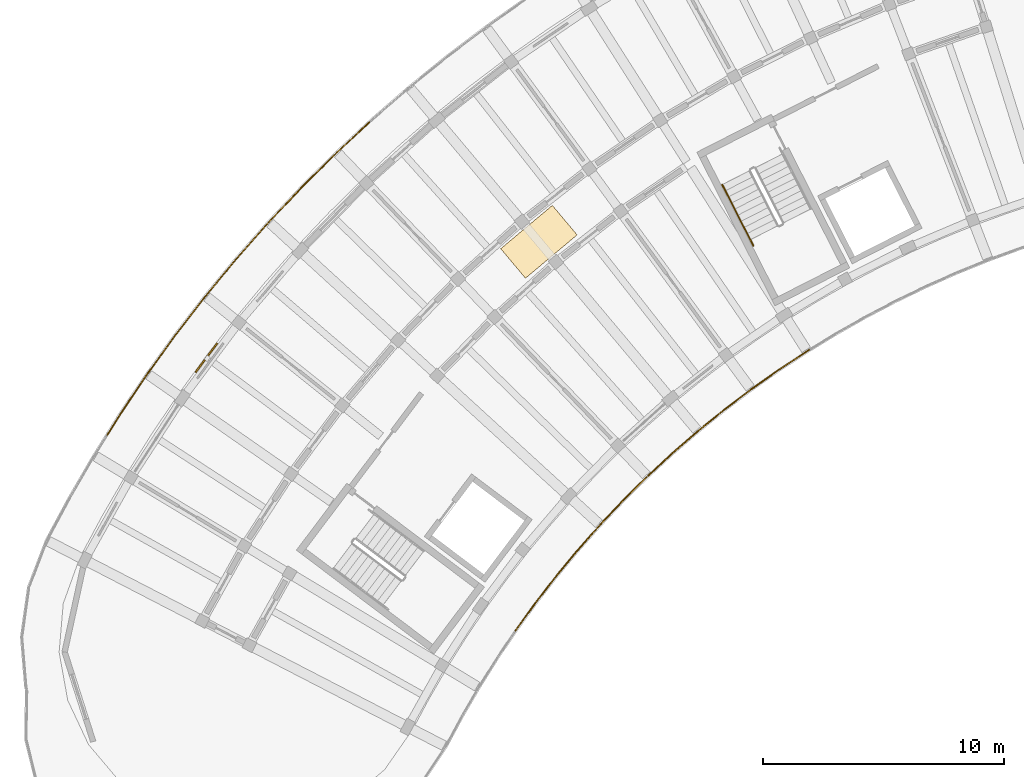
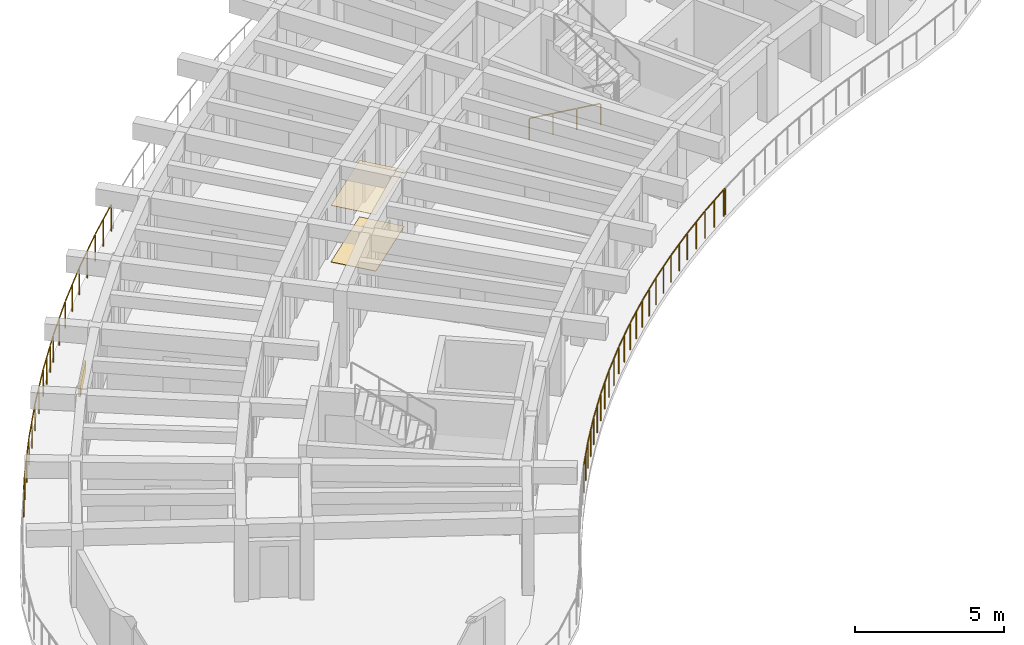
# One storey, part 16 of 19: 7 railings, 2 coverings, 1 shading device.
"""IFC4 building model written with IfcOpenShell, lengths in metres."""

from ifc_helpers import new_model, si_unit, direction, frame, origin, origin_2d, place, context, subcontext, project, spatial, rectangle, circle, extrude, material, layer, layer_set, type_object, element, save


model = new_model("IFC4")

# Units and contexts
model_context = context("Model", 3, precision=1e-05, world=origin(), true_north=direction((0.0, 1.0)))
body_context = subcontext(model_context, "Body", "Model", "MODEL_VIEW")
ifc_project = project(units=[si_unit("LENGTHUNIT", "METRE"), si_unit("AREAUNIT", "SQUARE_METRE"), si_unit("VOLUMEUNIT", "CUBIC_METRE"), si_unit("PLANEANGLEUNIT", "RADIAN"), si_unit("MASSUNIT", "GRAM", prefix="KILO")], contexts=[model_context])

# Site, building, storey
site_placement = place(None, origin())
site = spatial("IfcSite", under=ifc_project, at=site_placement, CompositionType="ELEMENT")
building_placement = place(site_placement, origin())
building = spatial("IfcBuilding", under=site, at=building_placement, Name="Tanwirah Colonnade Gardens", CompositionType="ELEMENT")
storey_placement = place(building_placement, frame((0.0, 0.0, 45.800048828125)))
storey = spatial("IfcBuildingStorey", under=building, at=storey_placement, Name="L13", CompositionType="ELEMENT", Elevation=45.800048828125)

# Railings
ifc_material_1 = material(Name="Precast concrete C40/50", Category="concrete")
railing_type_1 = type_object("IfcRailingType", Name="BAL-EXT112", PredefinedType="BALUSTRADE", material=ifc_material_1)
railing_1_placement = place(storey_placement, frame((42.189453125, 96.271240234375, 0.0)))
element("IfcRailing", 1, at=railing_1_placement, inside=storey, type_object=railing_type_1, Name="Block A L13 Balcony Ribbon Balustrade 3", PredefinedType="BALUSTRADE", context=body_context, shape_type="SweptSolid", body=[
    extrude(circle(Radius=0.02392578125, at=origin_2d()), frame((-0.026611328125, -0.016357421875, 1.09619140625), z_axis=(-0.852075986308, -0.523418105875, 0.0), x_axis=(0.523418105875, -0.852075986308, 0.0)), (0.0, 0.0, 1.0), 0.037841796875),
    extrude(circle(Radius=0.02392578125, at=origin_2d()), frame((-0.11376953125, -0.07080078125, 1.09619140625), z_axis=(-0.834927342507, -0.550360184547, 0.0), x_axis=(0.550360184547, -0.834927342507, 0.0)), (0.0, 0.0, 1.0), 1.341796875),
    extrude(circle(Radius=0.02392578125, at=origin_2d()), frame((-1.2880859375, -0.84619140625, 1.09619140625), z_axis=(-0.816321661452, -0.577597563226, 0.0), x_axis=(0.577597563226, -0.816321661452, 0.0)), (0.0, 0.0, 1.0), 1.341552734375),
    extrude(circle(Radius=0.02392578125, at=origin_2d()), frame((-2.435791015625, -1.659423828125, 1.09619140625), z_axis=(-0.796818244666, -0.604219070344, 0.0), x_axis=(0.604219070344, -0.796818244666, 0.0)), (0.0, 0.0, 1.0), 1.342041015625),
    extrude(circle(Radius=0.02392578125, at=origin_2d()), frame((-3.55615234375, -2.510498046875, 1.09619140625), z_axis=(-0.776491375378, -0.630127879056, 0.0), x_axis=(0.630127879056, -0.776491375378, 0.0)), (0.0, 0.0, 1.0), 1.342041015625),
    extrude(circle(Radius=0.02392578125, at=origin_2d()), frame((-4.648193359375, -3.39794921875, 1.09619140625), z_axis=(-0.755402192857, -0.655261418845, 0.0), x_axis=(0.655261418845, -0.755402192857, 0.0)), (0.0, 0.0, 1.0), 1.341796875),
    extrude(circle(Radius=0.02392578125, at=origin_2d()), frame((-5.710205078125, -4.320556640625, 1.09619140625), z_axis=(-0.73338671836, -0.679811680786, 0.0), x_axis=(0.679811680786, -0.73338671836, 0.0)), (0.0, 0.0, 1.0), 1.300048828125),
    extrude(circle(Radius=0.02099609375, at=origin_2d()), origin(), (0.0, 0.0, 1.0), 1.069091796875),
    extrude(circle(Radius=0.02099609375, at=origin_2d()), frame((-0.08544921875, -0.052490234375, 0.0)), (0.0, 0.0, 1.0), 1.069091796875),
    extrude(circle(Radius=0.02099609375, at=origin_2d()), frame((-0.673828125, -0.440185546875, 0.0)), (0.0, 0.0, 1.0), 1.069091796875),
    extrude(circle(Radius=0.02099609375, at=origin_2d()), frame((-1.26025390625, -0.82666015625, 0.0)), (0.0, 0.0, 1.0), 1.069091796875),
    extrude(circle(Radius=0.02099609375, at=origin_2d()), frame((-1.83544921875, -1.233642578125, 0.0)), (0.0, 0.0, 1.0), 1.069091796875),
    extrude(circle(Radius=0.02099609375, at=origin_2d()), frame((-2.40869140625, -1.63916015625, 0.0)), (0.0, 0.0, 1.0), 1.069091796875),
    extrude(circle(Radius=0.02099609375, at=origin_2d()), frame((-2.970458984375, -2.06494140625, 0.0)), (0.0, 0.0, 1.0), 1.069091796875),
    extrude(circle(Radius=0.02099609375, at=origin_2d()), frame((-3.530029296875, -2.4892578125, 0.0)), (0.0, 0.0, 1.0), 1.069091796875),
    extrude(circle(Radius=0.02099609375, at=origin_2d()), frame((-4.0771484375, -2.93310546875, 0.0)), (0.0, 0.0, 1.0), 1.069091796875),
    extrude(circle(Radius=0.02099609375, at=origin_2d()), frame((-4.62255859375, -3.375732421875, 0.0)), (0.0, 0.0, 1.0), 1.069091796875),
    extrude(circle(Radius=0.02099609375, at=origin_2d()), frame((-5.15478515625, -3.83740234375, 0.0)), (0.0, 0.0, 1.0), 1.069091796875),
    extrude(circle(Radius=0.02099609375, at=origin_2d()), frame((-5.685302734375, -4.297607421875, 0.0)), (0.0, 0.0, 1.0), 1.069091796875),
    extrude(circle(Radius=0.02099609375, at=origin_2d()), frame((-6.18701171875, -4.762451171875, 0.0)), (0.0, 0.0, 1.0), 1.069091796875),
    extrude(circle(Radius=0.02099609375, at=origin_2d()), frame((-6.6865234375, -5.2255859375, 0.0)), (0.0, 0.0, 1.0), 1.069091796875),
])
railing_2_placement = place(storey_placement, frame((35.5029296875, 91.045654296875, 0.0)))
element("IfcRailing", 2, at=railing_2_placement, inside=storey, type_object=railing_type_1, Name="Block A L13 Balcony Ribbon Balustrade 4", PredefinedType="BALUSTRADE", context=body_context, shape_type="SweptSolid", body=[
    extrude(circle(Radius=0.02392578125, at=origin_2d()), frame((-0.054931640625, -0.05224609375, 1.09619140625), z_axis=(-0.710488556831, -0.703708754111, 0.0), x_axis=(0.703708754111, -0.710488556831, 0.0)), (0.0, 0.0, 1.0), 1.341796875),
    extrude(circle(Radius=0.02392578125, at=origin_2d()), frame((-1.0537109375, -1.043212890625, 1.09619140625), z_axis=(-0.687011382404, -0.726646654466, 0.0), x_axis=(0.726646654466, -0.687011382404, 0.0)), (0.0, 0.0, 1.0), 1.341796875),
    extrude(circle(Radius=0.02392578125, at=origin_2d()), frame((-2.01953125, -2.06640625, 1.09619140625), z_axis=(-0.662581384852, -0.748989925464, 0.0), x_axis=(0.748989925464, -0.662581384852, 0.0)), (0.0, 0.0, 1.0), 1.341796875),
    extrude(circle(Radius=0.02392578125, at=origin_2d()), frame((-2.950927734375, -3.120849609375, 1.09619140625), z_axis=(-0.637581943595, -0.770382544715, 0.0), x_axis=(0.770382544715, -0.637581943595, 0.0)), (0.0, 0.0, 1.0), 1.342041015625),
    extrude(circle(Radius=0.02392578125, at=origin_2d()), frame((-3.84716796875, -4.205322265625, 1.09619140625), z_axis=(-0.611783903817, -0.791024939576, 0.0), x_axis=(0.791024939576, -0.611783903817, 0.0)), (0.0, 0.0, 1.0), 1.341796875),
    extrude(circle(Radius=0.02392578125, at=origin_2d()), frame((-4.70703125, -5.319091796875, 1.09619140625), z_axis=(-0.585522290474, -0.810656306556, 0.0), x_axis=(0.810656306556, -0.585522290474, 0.0)), (0.0, 0.0, 1.0), 1.341796875),
    extrude(circle(Radius=0.02099609375, at=origin_2d()), origin(), (0.0, 0.0, 1.0), 1.069091796875),
    extrude(circle(Radius=0.02099609375, at=origin_2d()), frame((-0.53173828125, -0.5244140625, 0.0)), (0.0, 0.0, 1.0), 1.069091796875),
    extrude(circle(Radius=0.02099609375, at=origin_2d()), frame((-1.030517578125, -1.0185546875, 0.0)), (0.0, 0.0, 1.0), 1.069091796875),
    extrude(circle(Radius=0.02099609375, at=origin_2d()), frame((-1.5146484375, -1.53076171875, 0.0)), (0.0, 0.0, 1.0), 1.069091796875),
    extrude(circle(Radius=0.02099609375, at=origin_2d()), frame((-1.9970703125, -2.041015625, 0.0)), (0.0, 0.0, 1.0), 1.069091796875),
    extrude(circle(Radius=0.02099609375, at=origin_2d()), frame((-2.4638671875, -2.56884765625, 0.0)), (0.0, 0.0, 1.0), 1.069091796875),
    extrude(circle(Radius=0.02099609375, at=origin_2d()), frame((-2.92919921875, -3.0947265625, 0.0)), (0.0, 0.0, 1.0), 1.069091796875),
    extrude(circle(Radius=0.02099609375, at=origin_2d()), frame((-3.378662109375, -3.6376953125, 0.0)), (0.0, 0.0, 1.0), 1.069091796875),
    extrude(circle(Radius=0.02099609375, at=origin_2d()), frame((-3.826416015625, -4.1787109375, 0.0)), (0.0, 0.0, 1.0), 1.069091796875),
    extrude(circle(Radius=0.02099609375, at=origin_2d()), frame((-4.2578125, -4.736083984375, 0.0)), (0.0, 0.0, 1.0), 1.069091796875),
    extrude(circle(Radius=0.02099609375, at=origin_2d()), frame((-4.687255859375, -5.29150390625, 0.0)), (0.0, 0.0, 1.0), 1.069091796875),
    extrude(circle(Radius=0.02099609375, at=origin_2d()), frame((-5.099853515625, -5.86279296875, 0.0)), (0.0, 0.0, 1.0), 1.069091796875),
    extrude(circle(Radius=0.02099609375, at=origin_2d()), frame((-5.510986328125, -6.43212890625, 0.0)), (0.0, 0.0, 1.0), 1.069091796875),
])
railing_3_placement = place(storey_placement, frame((13.03564453125, 92.73974609375, 0.0)))
element("IfcRailing", 3, at=railing_3_placement, inside=storey, type_object=railing_type_1, Name="Block A L13 Balcony Ribbon Balustrade 10", PredefinedType="BALUSTRADE", context=body_context, shape_type="SweptSolid", body=[
    extrude(circle(Radius=0.02392578125, at=origin_2d()), frame((0.0166015625, 0.026611328125, 1.09619140625), z_axis=(0.530866268357, 0.847455606578, 0.0), x_axis=(-0.847455606578, 0.530866268357, 0.0)), (0.0, 0.0, 1.0), 0.94921875),
    extrude(circle(Radius=0.02392578125, at=origin_2d()), frame((0.554443359375, 0.88330078125, 1.09619140625), z_axis=(0.558345997542, 0.829608188863, 0.0), x_axis=(-0.829608188863, 0.558345997542, 0.0)), (0.0, 0.0, 1.0), 1.958984375),
    extrude(circle(Radius=0.02392578125, at=origin_2d()), frame((1.68408203125, 2.559814453125, 1.09619140625), z_axis=(0.585468507287, 0.810695150457, 0.0), x_axis=(-0.810695150457, 0.585468507287, 0.0)), (0.0, 0.0, 1.0), 1.958984375),
    extrude(circle(Radius=0.02392578125, at=origin_2d()), frame((2.868408203125, 4.197998046875, 1.09619140625), z_axis=(0.611856467608, 0.790968812942, 0.0), x_axis=(-0.790968812942, 0.611856467608, 0.0)), (0.0, 0.0, 1.0), 1.958984375),
    extrude(circle(Radius=0.02392578125, at=origin_2d()), frame((4.106201171875, 5.79638671875, 1.09619140625), z_axis=(0.637532620318, 0.770423362853, 0.0), x_axis=(-0.770423362853, 0.637532620318, 0.0)), (0.0, 0.0, 1.0), 1.361328125),
    extrude(circle(Radius=0.02099609375, at=origin_2d()), origin(), (0.0, 0.0, 1.0), 1.069091796875),
    extrude(circle(Radius=0.02099609375, at=origin_2d()), frame((0.537109375, 0.857421875, 0.0)), (0.0, 0.0, 1.0), 1.069091796875),
    extrude(circle(Radius=0.02099609375, at=origin_2d()), frame((1.1015625, 1.69580078125, 0.0)), (0.0, 0.0, 1.0), 1.069091796875),
    extrude(circle(Radius=0.02099609375, at=origin_2d()), frame((1.665771484375, 2.534423828125, 0.0)), (0.0, 0.0, 1.0), 1.069091796875),
    extrude(circle(Radius=0.02099609375, at=origin_2d()), frame((2.257568359375, 3.35400390625, 0.0)), (0.0, 0.0, 1.0), 1.069091796875),
    extrude(circle(Radius=0.02099609375, at=origin_2d()), frame((2.849365234375, 4.17333984375, 0.0)), (0.0, 0.0, 1.0), 1.069091796875),
    extrude(circle(Radius=0.02099609375, at=origin_2d()), frame((3.4677734375, 4.97265625, 0.0)), (0.0, 0.0, 1.0), 1.069091796875),
    extrude(circle(Radius=0.02099609375, at=origin_2d()), frame((4.086181640625, 5.772216796875, 0.0)), (0.0, 0.0, 1.0), 1.069091796875),
    extrude(circle(Radius=0.02099609375, at=origin_2d()), frame((4.5400390625, 6.32080078125, 0.0)), (0.0, 0.0, 1.0), 1.069091796875),
    extrude(circle(Radius=0.02099609375, at=origin_2d()), frame((4.993896484375, 6.869140625, 0.0)), (0.0, 0.0, 1.0), 1.069091796875),
])
railing_4_placement = place(storey_placement, frame((18.029541015625, 99.60888671875, 0.0)))
element("IfcRailing", 4, at=railing_4_placement, inside=storey, type_object=railing_type_1, Name="Block A L13 Balcony Ribbon Balustrade 11", PredefinedType="BALUSTRADE", context=body_context, shape_type="SweptSolid", body=[
    extrude(circle(Radius=0.02392578125, at=origin_2d()), frame((0.02001953125, 0.024169921875, 1.09619140625), z_axis=(0.63760951057, 0.770359728978, 0.0), x_axis=(-0.770359728978, 0.63760951057, 0.0)), (0.0, 0.0, 1.0), 0.53515625),
    extrude(circle(Radius=0.02392578125, at=origin_2d()), frame((0.40185546875, 0.48388671875, 1.09619140625), z_axis=(0.662607760508, 0.748966591854, 0.0), x_axis=(-0.748966591854, 0.662607760508, 0.0)), (0.0, 0.0, 1.0), 1.958740234375),
    extrude(circle(Radius=0.02392578125, at=origin_2d()), frame((1.741943359375, 1.9970703125, 1.09619140625), z_axis=(0.686960364449, 0.726694886232, 0.0), x_axis=(-0.726694886232, 0.686960364449, 0.0)), (0.0, 0.0, 1.0), 1.958984375),
    extrude(circle(Radius=0.02392578125, at=origin_2d()), frame((3.13134765625, 3.46533203125, 1.09619140625), z_axis=(0.710480209462, 0.703717181801, 0.0), x_axis=(-0.703717181801, 0.710480209462, 0.0)), (0.0, 0.0, 1.0), 1.958984375),
    extrude(circle(Radius=0.02392578125, at=origin_2d()), frame((4.568359375, 4.88720703125, 1.09619140625), z_axis=(0.733304283215, 0.67990060172, 0.0), x_axis=(-0.67990060172, 0.733304283215, 0.0)), (0.0, 0.0, 1.0), 1.775146484375),
    extrude(circle(Radius=0.02099609375, at=origin_2d()), origin(), (0.0, 0.0, 1.0), 1.069091796875),
    extrude(circle(Radius=0.02099609375, at=origin_2d()), frame((0.381103515625, 0.46044921875, 0.0)), (0.0, 0.0, 1.0), 1.069091796875),
    extrude(circle(Radius=0.02099609375, at=origin_2d()), frame((1.05078125, 1.21728515625, 0.0)), (0.0, 0.0, 1.0), 1.069091796875),
    extrude(circle(Radius=0.02099609375, at=origin_2d()), frame((1.720458984375, 1.974365234375, 0.0)), (0.0, 0.0, 1.0), 1.069091796875),
    extrude(circle(Radius=0.02099609375, at=origin_2d()), frame((2.414794921875, 2.708984375, 0.0)), (0.0, 0.0, 1.0), 1.069091796875),
    extrude(circle(Radius=0.02099609375, at=origin_2d()), frame((3.109130859375, 3.443359375, 0.0)), (0.0, 0.0, 1.0), 1.069091796875),
    extrude(circle(Radius=0.02099609375, at=origin_2d()), frame((3.8271484375, 4.15478515625, 0.0)), (0.0, 0.0, 1.0), 1.069091796875),
    extrude(circle(Radius=0.02099609375, at=origin_2d()), frame((4.54541015625, 4.865966796875, 0.0)), (0.0, 0.0, 1.0), 1.069091796875),
    extrude(circle(Radius=0.02099609375, at=origin_2d()), frame((5.21923828125, 5.49072265625, 0.0)), (0.0, 0.0, 1.0), 1.069091796875),
    extrude(circle(Radius=0.02099609375, at=origin_2d()), frame((5.89306640625, 6.115478515625, 0.0)), (0.0, 0.0, 1.0), 1.069091796875),
])

# Coverings
ifc_material_2 = material(Name="Acoustic perforated gypsum ceiling board")
ifc_layer_1 = layer(ifc_material_2, 0.014892578125)
ifc_layer_set_1 = layer_set([ifc_layer_1], Name="Acoustic perforated gypsum ceiling board")
covering_type_1 = type_object("IfcCoveringType", Name="COV-CEIL15", PredefinedType="CEILING", material=ifc_layer_set_1)
covering_1_placement = place(storey_placement, frame((30.96435546875, 100.761962890625, 2.3125), z_axis=(0.0, 0.0, 1.0), x_axis=(-0.766044443119, -0.642787609687, 0.0)))
element("IfcCovering", 5, at=covering_1_placement, inside=storey, type_object=covering_type_1, Name="Block A L13 Corridor Acoustic Ceiling", PredefinedType="CEILING", context=body_context, shape_type="SweptSolid", body=[
    extrude(rectangle(XDim=2.800048828125, YDim=1.60009765625, at=origin_2d()), origin(), (0.0, 0.0, 1.0), 0.014892578125),
])
ifc_material_3 = material(Name="Honed Abu Dhabi limestone terrazzo flooring", Category="masonry")
ifc_layer_2 = layer(ifc_material_3, 0.02001953125)
ifc_layer_set_2 = layer_set([ifc_layer_2], Name="Honed Abu Dhabi limestone terrazzo flooring")
covering_type_2 = type_object("IfcCoveringType", Name="COV-FLR20", PredefinedType="FLOORING", material=ifc_layer_set_2)
covering_2_placement = place(storey_placement, frame((30.96435546875, 100.761962890625, 0.0), z_axis=(0.0, 0.0, 1.0), x_axis=(-0.766044443119, -0.642787609687, 0.0)))
element("IfcCovering", 6, at=covering_2_placement, inside=storey, type_object=covering_type_2, Name="Block A L13 Corridor Terrazzo Flooring", PredefinedType="FLOORING", context=body_context, shape_type="SweptSolid", body=[
    extrude(rectangle(XDim=2.800048828125, YDim=1.60009765625, at=origin_2d()), origin(), (0.0, 0.0, 1.0), 0.02001953125),
])

# Railings
ifc_material_4 = material(Name="Brushed bronze stainless steel", Category="steel")
railing_type_2 = type_object("IfcRailingType", Name="HR-ST090", PredefinedType="HANDRAIL", material=ifc_material_4)
railing_5_placement = place(storey_placement, frame((38.578369140625, 103.134521484375, 0.16796875)))
element("IfcRailing", 7, at=railing_5_placement, inside=storey, type_object=railing_type_2, Name="L13 ST-A1 stair handrail 1", PredefinedType="HANDRAIL", context=body_context, shape_type="SweptSolid", body=[
    extrude(circle(Radius=0.02392578125, at=origin_2d()), frame((0.01220703125, -0.02392578125, 0.891845703125), z_axis=(0.390051618152, -0.765534245474, 0.511680617361), x_axis=(0.891010084603, 0.453983511965, 0.0)), (0.0, 0.0, 1.0), 1.04345703125),
    extrude(circle(Radius=0.02099609375, at=origin_2d()), origin(), (0.0, 0.0, 1.0), 0.848876953125),
    extrude(circle(Radius=0.02099609375, at=origin_2d()), frame((0.431396484375, -0.8466796875, 0.56591796875)), (0.0, 0.0, 1.0), 0.848876953125),
])
railing_6_placement = place(storey_placement, frame((39.009765625, 102.287841796875, 0.73388671875)))
element("IfcRailing", 8, at=railing_6_placement, inside=storey, type_object=railing_type_2, Name="L13 ST-A1 stair handrail 2", PredefinedType="HANDRAIL", context=body_context, shape_type="SweptSolid", body=[
    extrude(circle(Radius=0.02392578125, at=origin_2d()), frame((0.01220703125, -0.02392578125, 0.891845703125), z_axis=(0.389886268615, -0.765422249879, 0.511974097915), x_axis=(0.891061070925, 0.453883429839, 0.0)), (0.0, 0.0, 1.0), 1.043212890625),
    extrude(circle(Radius=0.02099609375, at=origin_2d()), origin(), (0.0, 0.0, 1.0), 0.848876953125),
    extrude(circle(Radius=0.02099609375, at=origin_2d()), frame((0.43115234375, -0.846435546875, 0.566162109375)), (0.0, 0.0, 1.0), 0.848876953125),
])
railing_7_placement = place(storey_placement, frame((39.44091796875, 101.44140625, 1.300048828125)))
element("IfcRailing", 9, at=railing_7_placement, inside=storey, type_object=railing_type_2, Name="L13 ST-A1 stair handrail 3", PredefinedType="HANDRAIL", context=body_context, shape_type="SweptSolid", body=[
    extrude(circle(Radius=0.02392578125, at=origin_2d()), frame((0.01220703125, -0.02392578125, 0.891845703125), z_axis=(0.390117538533, -0.765442844423, 0.51176709356), x_axis=(0.890957114254, 0.454087459154, 0.0)), (0.0, 0.0, 1.0), 1.043212890625),
    extrude(circle(Radius=0.02099609375, at=origin_2d()), origin(), (0.0, 0.0, 1.0), 0.848876953125),
    extrude(circle(Radius=0.02099609375, at=origin_2d()), frame((0.431396484375, -0.846435546875, 0.56591796875)), (0.0, 0.0, 1.0), 0.848876953125),
])

# Shading device
ifc_material_5 = material(Name="Perforated architectural bronze aluminium", Category="aluminium")
ifc_layer_3 = layer(ifc_material_5, 0.050048828125)
ifc_layer_set_3 = layer_set([ifc_layer_3], Name="Perforated architectural bronze aluminium")
shading_device_type = type_object("IfcShadingDeviceType", Name="SHD-OVH1", PredefinedType="SHUTTER", material=ifc_layer_set_3)
shading_device_placement = place(storey_placement, frame((17.15185546875, 95.944091796875, 2.03515625), z_axis=(0.0, 0.0, 1.0), x_axis=(-0.598711833846, -0.800964506088, 0.0)))
element("IfcShadingDevice", 10, at=shading_device_placement, inside=storey, type_object=shading_device_type, Name="Solar shading louver hood A-L13-12", PredefinedType="SHUTTER", context=body_context, shape_type="SweptSolid", body=[
    extrude(rectangle(XDim=1.5, YDim=0.06005859375, at=origin_2d()), origin(), (0.0, 0.0, 1.0), 0.449951171875),
])

save(model, "model.ifc")
